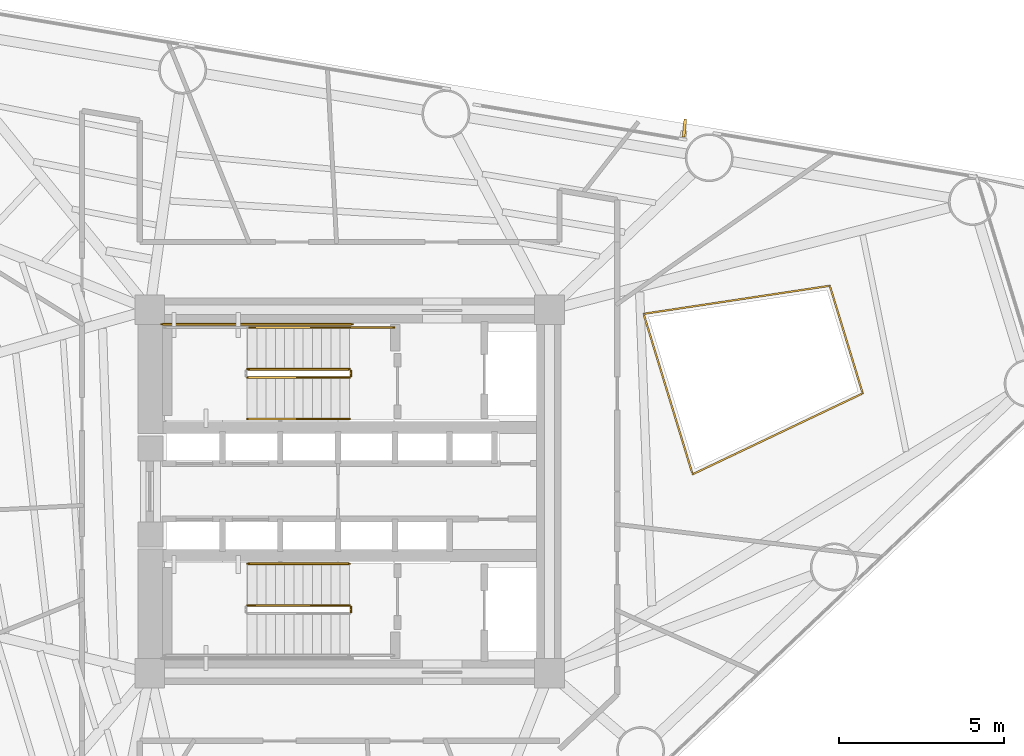
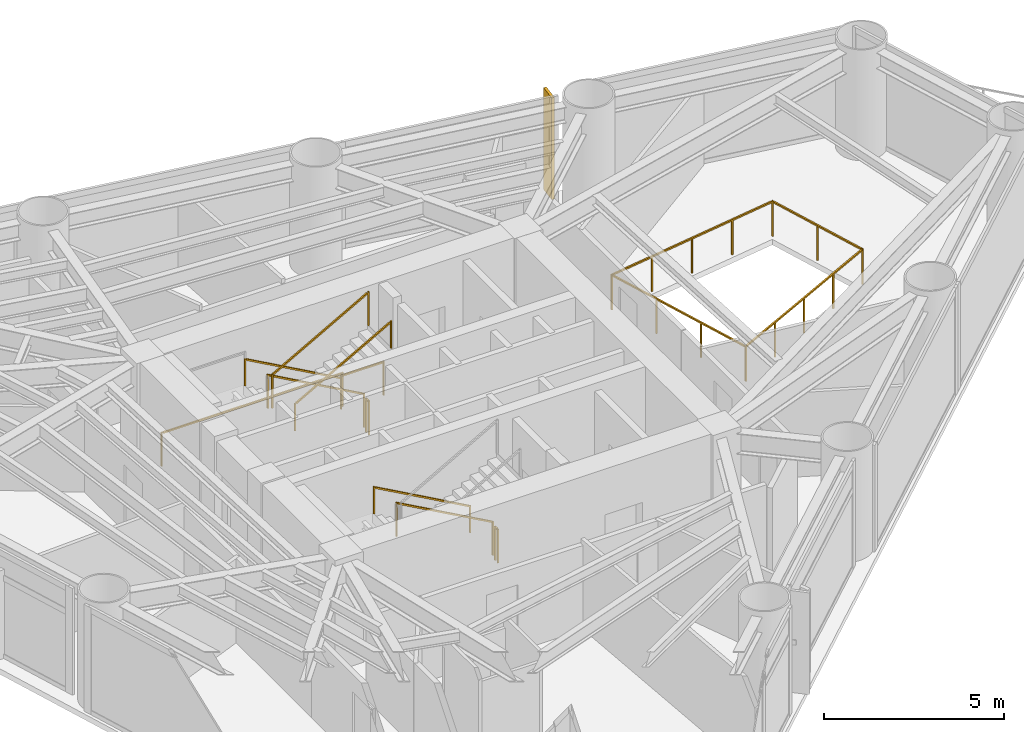
# One storey, part 9 of 10: 11 railings, 1 shading device.
"""IFC4 building model written with IfcOpenShell, lengths in metres."""

from ifc_helpers import new_model, si_unit, direction, frame, origin, origin_2d, place, context, subcontext, project, spatial, rectangle, extrude, source, transform, mapped, material, material_profile, profile_set, type_object, element, save


model = new_model("IFC4")

# Units and contexts
model_context = context("Model", 3, precision=1e-05, world=origin(), true_north=direction((0.0, 1.0)))
body_context = subcontext(model_context, "Body", "Model", "MODEL_VIEW")
ifc_project = project(units=[si_unit("LENGTHUNIT", "METRE"), si_unit("AREAUNIT", "SQUARE_METRE"), si_unit("VOLUMEUNIT", "CUBIC_METRE"), si_unit("PLANEANGLEUNIT", "RADIAN"), si_unit("MASSUNIT", "GRAM", prefix="KILO")], contexts=[model_context])

# Site, building, storey
site_placement = place(None, origin())
site = spatial("IfcSite", under=ifc_project, at=site_placement, CompositionType="ELEMENT")
building_placement = place(site_placement, origin())
building = spatial("IfcBuilding", under=site, at=building_placement, Name="Yunling Apex Tower", CompositionType="ELEMENT")
storey_placement = place(building_placement, frame((0.0, 0.0, 104.89990234375)))
storey = spatial("IfcBuildingStorey", under=building, at=storey_placement, Name="L26", CompositionType="ELEMENT", Elevation=104.89990234375)

# Railings
ifc_material_1 = material(Name="Bronze anodised aluminium", Category="aluminium")
railing_type_1 = type_object("IfcRailingType", Name="RL-BAL-1200", PredefinedType="BALUSTRADE", material=ifc_material_1)
railing_1_placement = place(storey_placement, frame((8.897216796875, 5.375244140625, 0.0)))
element("IfcRailing", 1, at=railing_1_placement, inside=storey, type_object=railing_type_1, Name="RL-TATR-L26", PredefinedType="BALUSTRADE", context=body_context, shape_type="SweptSolid", body=[
    extrude(rectangle(XDim=0.0439453125, YDim=0.0439453125, at=origin_2d()), origin(), (0.0, 0.0, 1.0), 1.199951171875),
    extrude(rectangle(XDim=0.0439453125, YDim=0.0439453125, at=origin_2d()), frame((5.637939453125, 0.849853515625, 0.0)), (0.0, 0.0, 1.0), 1.199951171875),
    extrude(rectangle(XDim=0.050048828125, YDim=0.050048828125, at=origin_2d()), frame((0.037841796875, 0.005615234375, 1.1748046875), z_axis=(0.988828994204, 0.149054420336, 0.0), x_axis=(-0.149054420336, 0.988828994204, 0.0)), (0.0, 0.0, 1.0), 5.625),
    extrude(rectangle(XDim=0.0439453125, YDim=0.0439453125, at=origin_2d()), frame((1.409423828125, 0.21240234375, 0.0)), (0.0, 0.0, 1.0), 1.14599609375),
    extrude(rectangle(XDim=0.0439453125, YDim=0.0439453125, at=origin_2d()), frame((2.81884765625, 0.4248046875, 0.0)), (0.0, 0.0, 1.0), 1.14599609375),
    extrude(rectangle(XDim=0.0439453125, YDim=0.0439453125, at=origin_2d()), frame((4.228515625, 0.637451171875, 0.0)), (0.0, 0.0, 1.0), 1.14599609375),
    extrude(rectangle(XDim=0.0439453125, YDim=0.0439453125, at=origin_2d()), frame((6.6337890625, -2.408203125, 0.0)), (0.0, 0.0, 1.0), 1.199951171875),
    extrude(rectangle(XDim=0.050048828125, YDim=0.050048828125, at=origin_2d()), frame((5.649169921875, 0.813232421875, 1.1748046875), z_axis=(0.292307744699, -0.956324308166, 0.0), x_axis=(0.956324308166, 0.292307744699, 0.0)), (0.0, 0.0, 1.0), 3.330078125),
    extrude(rectangle(XDim=0.0439453125, YDim=0.0439453125, at=origin_2d()), frame((6.1357421875, -0.779296875, 0.0)), (0.0, 0.0, 1.0), 1.14599609375),
    extrude(rectangle(XDim=0.0439453125, YDim=0.0439453125, at=origin_2d()), frame((1.484619140625, -4.856201171875, 0.0)), (0.0, 0.0, 1.0), 1.199951171875),
    extrude(rectangle(XDim=0.050048828125, YDim=0.050048828125, at=origin_2d()), frame((6.59912109375, -2.424560546875, 1.1748046875), z_axis=(-0.903131826937, -0.429363369622, 0.0), x_axis=(0.429363369622, -0.903131826937, 0.0)), (0.0, 0.0, 1.0), 5.624755859375),
    extrude(rectangle(XDim=0.0439453125, YDim=0.0439453125, at=origin_2d()), frame((5.346435546875, -3.020263671875, 0.0)), (0.0, 0.0, 1.0), 1.14599609375),
    extrude(rectangle(XDim=0.0439453125, YDim=0.0439453125, at=origin_2d()), frame((4.05908203125, -3.63232421875, 0.0)), (0.0, 0.0, 1.0), 1.14599609375),
    extrude(rectangle(XDim=0.0439453125, YDim=0.0439453125, at=origin_2d()), frame((2.77197265625, -4.244140625, 0.0)), (0.0, 0.0, 1.0), 1.14599609375),
    extrude(rectangle(XDim=0.050048828125, YDim=0.050048828125, at=origin_2d()), frame((1.473388671875, -4.819580078125, 1.1748046875), z_axis=(-0.292358998686, 0.956308640496, 0.0), x_axis=(-0.956308640496, -0.292358998686, 0.0)), (0.0, 0.0, 1.0), 5.00146484375),
    extrude(rectangle(XDim=0.0439453125, YDim=0.0439453125, at=origin_2d()), frame((0.98974609375, -3.237548828125, 0.0)), (0.0, 0.0, 1.0), 1.14599609375),
    extrude(rectangle(XDim=0.0439453125, YDim=0.0439453125, at=origin_2d()), frame((0.494873046875, -1.61865234375, 0.0)), (0.0, 0.0, 1.0), 1.14599609375),
])
ifc_material_2 = material(Name="Steel Q355B", Category="steel")
railing_type_2 = type_object("IfcRailingType", Name="RL-GRD-1150", PredefinedType="GUARDRAIL", material=ifc_material_2)
railing_2_placement = place(storey_placement, frame((-0.010009765625, 3.699951171875, 0.15625)))
element("IfcRailing", 2, at=railing_2_placement, inside=storey, type_object=railing_type_2, Name="L26 ST-1 stair guard 1", PredefinedType="GUARDRAIL", context=body_context, shape_type="SweptSolid", body=[
    extrude(rectangle(XDim=0.0439453125, YDim=0.0439453125, at=origin_2d()), origin(), (0.0, 0.0, 1.0), 1.14990234375),
    extrude(rectangle(XDim=0.0439453125, YDim=0.0439453125, at=origin_2d()), frame((-3.080078125, 0.0, 1.71875)), (0.0, 0.0, 1.0), 1.14990234375),
    extrude(rectangle(XDim=0.050048828125, YDim=0.050048828125, at=origin_2d()), frame((-0.033447265625, 0.0, 1.1435546875), z_axis=(-0.873241540666, 0.0, 0.487287606713), x_axis=(0.0, -1.0, 0.0)), (0.0, 0.0, 1.0), 3.450439453125),
])
railing_3_placement = place(storey_placement, frame((-3.090087890625, 3.449951171875, 2.03125)))
element("IfcRailing", 3, at=railing_3_placement, inside=storey, type_object=railing_type_2, Name="L26 ST-1 stair guard 4", PredefinedType="GUARDRAIL", context=body_context, shape_type="SweptSolid", body=[
    extrude(rectangle(XDim=0.0439453125, YDim=0.0439453125, at=origin_2d()), origin(), (0.0, 0.0, 1.0), 1.14990234375),
    extrude(rectangle(XDim=0.0439453125, YDim=0.0439453125, at=origin_2d()), frame((3.080078125, 0.0, 1.71875)), (0.0, 0.0, 1.0), 1.14990234375),
    extrude(rectangle(XDim=0.050048828125, YDim=0.050048828125, at=origin_2d()), frame((0.033447265625, 0.0, 1.1435546875), z_axis=(0.873241540666, 0.0, 0.487287606713), x_axis=(0.0, 1.0, 0.0)), (0.0, 0.0, 1.0), 3.450439453125),
])
railing_4_placement = place(storey_placement, frame((0.0400390625, 3.64990234375, 0.0)))
element("IfcRailing", 4, at=railing_4_placement, inside=storey, type_object=railing_type_2, Name="L26 ST-1 stair guard 5", PredefinedType="GUARDRAIL", context=body_context, shape_type="SweptSolid", body=[
    extrude(rectangle(XDim=0.0439453125, YDim=0.0439453125, at=origin_2d()), origin(), (0.0, 0.0, 1.0), 1.14990234375),
    extrude(rectangle(XDim=0.0439453125, YDim=0.0439453125, at=origin_2d()), frame((0.0, -0.14990234375, 0.0)), (0.0, 0.0, 1.0), 1.14990234375),
    extrude(rectangle(XDim=0.050048828125, YDim=0.050048828125, at=origin_2d()), frame((0.0, -0.038330078125, 1.125), z_axis=(0.0, -1.0, 0.0), x_axis=(1.0, 0.0, 0.0)), (0.0, 0.0, 1.0), 0.0732421875),
])
railing_5_placement = place(storey_placement, frame((1.35009765625, 4.9599609375, 0.0)))
element("IfcRailing", 5, at=railing_5_placement, inside=storey, type_object=railing_type_2, Name="L26 ST-1 stair guard 6", PredefinedType="GUARDRAIL", context=body_context, shape_type="SweptSolid", body=[
    extrude(rectangle(XDim=0.0439453125, YDim=0.0439453125, at=origin_2d()), origin(), (0.0, 0.0, 1.0), 1.14990234375),
    extrude(rectangle(XDim=0.0439453125, YDim=0.0439453125, at=origin_2d()), frame((-1.360107421875, 0.0, 0.0)), (0.0, 0.0, 1.0), 1.14990234375),
    extrude(rectangle(XDim=0.050048828125, YDim=0.050048828125, at=origin_2d()), frame((-0.038330078125, 0.0, 1.125), z_axis=(-1.0, 0.0, 0.0), x_axis=(0.0, -1.0, 0.0)), (0.0, 0.0, 1.0), 1.283447265625),
])
railing_6_placement = place(storey_placement, frame((0.090087890625, 5.06005859375, 0.0)))
element("IfcRailing", 6, at=railing_6_placement, inside=storey, type_object=railing_type_2, Name="L26 ST-1 stair guard 7", PredefinedType="GUARDRAIL", context=body_context, shape_type="SweptSolid", body=[
    extrude(rectangle(XDim=0.0439453125, YDim=0.0439453125, at=origin_2d()), origin(), (0.0, 0.0, 1.0), 1.14990234375),
    extrude(rectangle(XDim=0.0439453125, YDim=0.0439453125, at=origin_2d()), frame((-5.7900390625, 0.0, 0.0)), (0.0, 0.0, 1.0), 1.14990234375),
    extrude(rectangle(XDim=0.050048828125, YDim=0.050048828125, at=origin_2d()), frame((-0.038330078125, 0.0, 1.125), z_axis=(-1.0, 0.0, 0.0), x_axis=(0.0, -1.0, 0.0)), (0.0, 0.0, 1.0), 5.71337890625),
])
railing_7_placement = place(storey_placement, frame((-0.010009765625, -3.449951171875, 0.15625)))
element("IfcRailing", 7, at=railing_7_placement, inside=storey, type_object=railing_type_2, Name="L26 ST-2 stair guard 1", PredefinedType="GUARDRAIL", context=body_context, shape_type="SweptSolid", body=[
    extrude(rectangle(XDim=0.0439453125, YDim=0.0439453125, at=origin_2d()), origin(), (0.0, 0.0, 1.0), 1.14990234375),
    extrude(rectangle(XDim=0.0439453125, YDim=0.0439453125, at=origin_2d()), frame((-3.080078125, 0.0, 1.71875)), (0.0, 0.0, 1.0), 1.14990234375),
    extrude(rectangle(XDim=0.050048828125, YDim=0.050048828125, at=origin_2d()), frame((-0.033447265625, 0.0, 1.1435546875), z_axis=(-0.873241540666, 0.0, 0.487287606713), x_axis=(0.0, -1.0, 0.0)), (0.0, 0.0, 1.0), 3.450439453125),
])
railing_8_placement = place(storey_placement, frame((0.0400390625, -3.5, 0.0)))
element("IfcRailing", 8, at=railing_8_placement, inside=storey, type_object=railing_type_2, Name="L26 ST-2 stair guard 5", PredefinedType="GUARDRAIL", context=body_context, shape_type="SweptSolid", body=[
    extrude(rectangle(XDim=0.0439453125, YDim=0.0439453125, at=origin_2d()), origin(), (0.0, 0.0, 1.0), 1.14990234375),
    extrude(rectangle(XDim=0.0439453125, YDim=0.0439453125, at=origin_2d()), frame((0.0, -0.14990234375, 0.0)), (0.0, 0.0, 1.0), 1.14990234375),
    extrude(rectangle(XDim=0.050048828125, YDim=0.050048828125, at=origin_2d()), frame((0.0, -0.038330078125, 1.125), z_axis=(0.0, -1.0, 0.0), x_axis=(1.0, 0.0, 0.0)), (0.0, 0.0, 1.0), 0.0732421875),
])
ifc_material_3 = material(Name="Silver anodised aluminium", Category="aluminium")
railing_type_3 = type_object("IfcRailingType", Name="RL-HND-900", PredefinedType="HANDRAIL", material=ifc_material_3)
railing_9_placement = place(storey_placement, frame((-0.010009765625, 4.9599609375, 0.15625)))
element("IfcRailing", 9, at=railing_9_placement, inside=storey, type_object=railing_type_3, Name="L26 ST-1 stair handrail 1", PredefinedType="HANDRAIL", context=body_context, shape_type="SweptSolid", body=[
    extrude(rectangle(XDim=0.0439453125, YDim=0.0439453125, at=origin_2d()), origin(), (0.0, 0.0, 1.0), 0.919921875),
    extrude(rectangle(XDim=0.0439453125, YDim=0.0439453125, at=origin_2d()), frame((-3.080078125, 0.0, 1.71875)), (0.0, 0.0, 1.0), 0.919921875),
    extrude(rectangle(XDim=0.050048828125, YDim=0.050048828125, at=origin_2d()), frame((-0.033447265625, 0.0, 0.91357421875), z_axis=(-0.873241540666, 0.0, 0.487287606713), x_axis=(0.0, -1.0, 0.0)), (0.0, 0.0, 1.0), 3.450439453125),
])
railing_10_placement = place(storey_placement, frame((-3.090087890625, 2.18994140625, 2.03125)))
element("IfcRailing", 10, at=railing_10_placement, inside=storey, type_object=railing_type_3, Name="L26 ST-1 stair handrail 2", PredefinedType="HANDRAIL", context=body_context, shape_type="SweptSolid", body=[
    extrude(rectangle(XDim=0.0439453125, YDim=0.0439453125, at=origin_2d()), origin(), (0.0, 0.0, 1.0), 0.919921875),
    extrude(rectangle(XDim=0.0439453125, YDim=0.0439453125, at=origin_2d()), frame((3.080078125, 0.0, 1.71875)), (0.0, 0.0, 1.0), 0.919921875),
    extrude(rectangle(XDim=0.050048828125, YDim=0.050048828125, at=origin_2d()), frame((0.033447265625, 0.0, 0.91357421875), z_axis=(0.873241540666, 0.0, 0.487287606713), x_axis=(0.0, 1.0, 0.0)), (0.0, 0.0, 1.0), 3.450439453125),
])
railing_11_placement = place(storey_placement, frame((-0.010009765625, -2.18994140625, 0.15625)))
element("IfcRailing", 11, at=railing_11_placement, inside=storey, type_object=railing_type_3, Name="L26 ST-2 stair handrail 1", PredefinedType="HANDRAIL", context=body_context, shape_type="SweptSolid", body=[
    extrude(rectangle(XDim=0.0439453125, YDim=0.0439453125, at=origin_2d()), origin(), (0.0, 0.0, 1.0), 0.919921875),
    extrude(rectangle(XDim=0.0439453125, YDim=0.0439453125, at=origin_2d()), frame((-3.080078125, 0.0, 1.71875)), (0.0, 0.0, 1.0), 0.919921875),
    extrude(rectangle(XDim=0.050048828125, YDim=0.050048828125, at=origin_2d()), frame((-0.033447265625, 0.0, 0.91357421875), z_axis=(-0.873241540666, 0.0, 0.487287606713), x_axis=(0.0, -1.0, 0.0)), (0.0, 0.0, 1.0), 3.450439453125),
])

# Shading device
ifc_material_profile = material_profile(ifc_material_1, rectangle(XDim=0.0849609375, YDim=0.550048828125, at=origin_2d()))
ifc_profile_set = profile_set([ifc_material_profile], Name="Bronze anodised aluminium")
shading_device_type = type_object("IfcShadingDeviceType", Name="FN-BRZ-3", PredefinedType="USERDEFINED", material=ifc_profile_set)
shared_shape = source(origin(), body_context, "Body", "SweptSolid", [
    extrude(rectangle(XDim=0.0849609375, YDim=0.550048828125, at=origin_2d()), origin(), (0.0, 0.0, 1.0), 3.445068359375),
])
shading_device_placement = place(storey_placement, frame((10.135498046875, 11.00146484375, 0.06005859375), z_axis=(0.0, 0.0, 1.0), x_axis=(-0.995038220239, 0.099493418189, 0.0)))
element("IfcShadingDevice", 12, at=shading_device_placement, inside=storey, type_object=shading_device_type, Name="CW-L26-F2-B2-FIN-01", ObjectType="FIN", PredefinedType="USERDEFINED", context=body_context, shape_type="MappedRepresentation", body=[
    mapped(shared_shape, transform((0.0, 0.0, 0.0), scale=1.0)),
])

save(model, "model.ifc")
